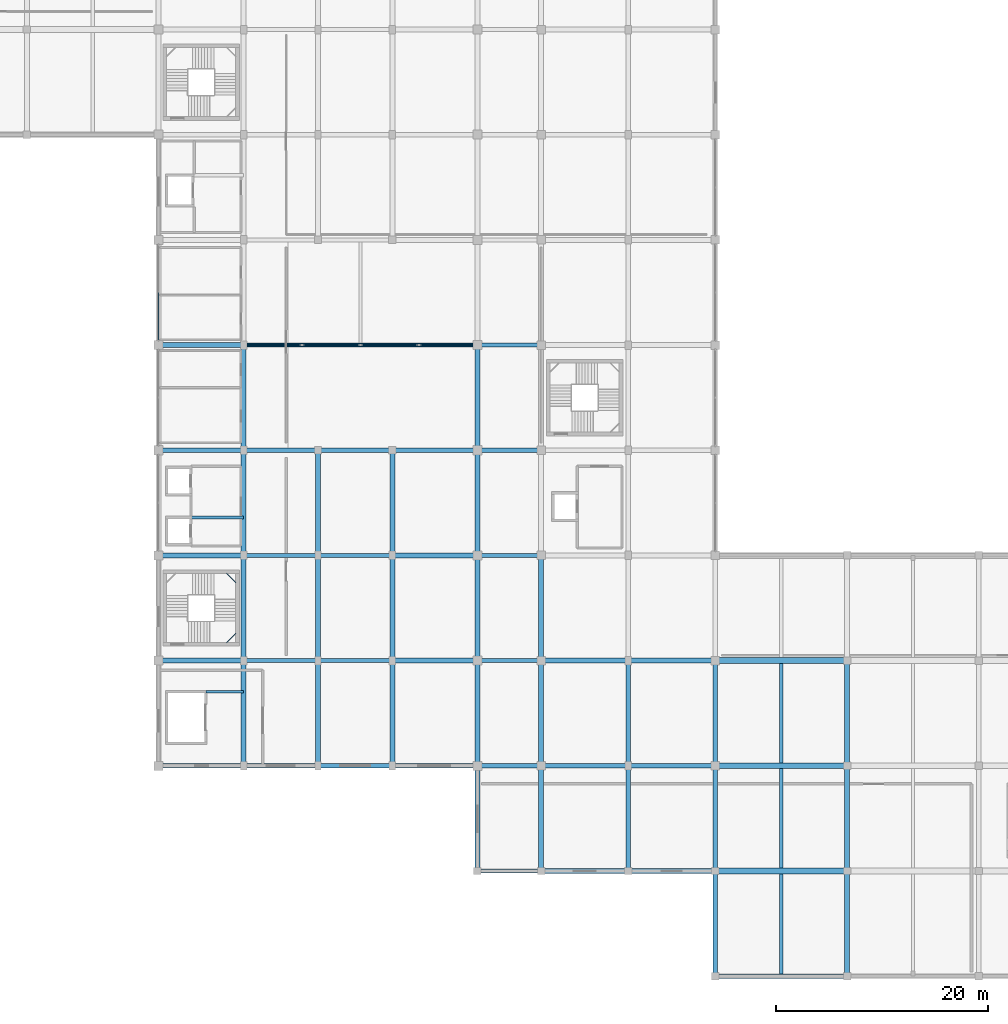
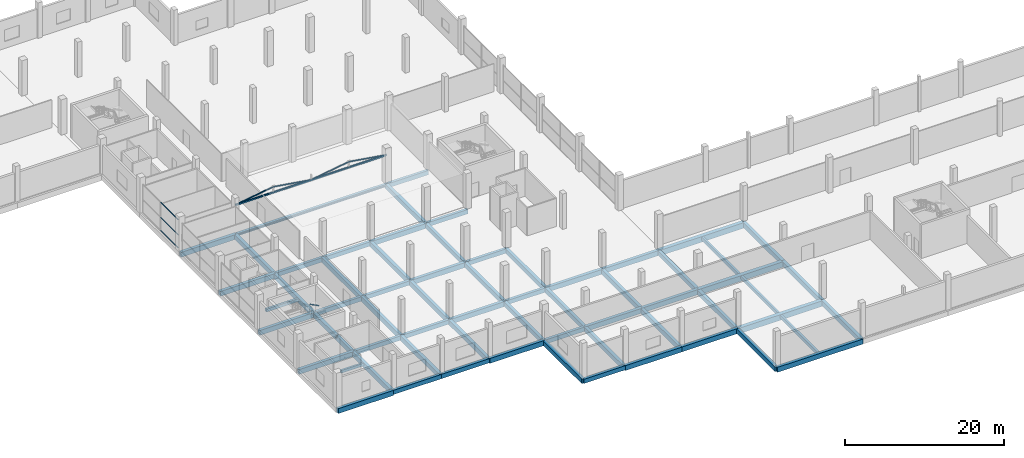
# One storey, part 6 of 72: 67 beams, 8 members, 1 element without a shape of its own.
"""IFC4 building model written with IfcOpenShell, lengths in metres."""

from ifc_helpers import new_model, si_unit, direction, frame, origin, origin_2d, place, context, subcontext, project, spatial, rectangle, hollow_rectangle, i_section, extrude, material, layer, layer_set, material_profile, profile_set, type_object, element, aggregate, save


model = new_model("IFC4")

# Units and contexts
model_context = context("Model", 3, precision=1e-05, world=origin(), true_north=direction((0.0, 1.0)))
body_context = subcontext(model_context, "Body", "Model", "MODEL_VIEW")
ifc_project = project(units=[si_unit("LENGTHUNIT", "METRE"), si_unit("AREAUNIT", "SQUARE_METRE"), si_unit("VOLUMEUNIT", "CUBIC_METRE"), si_unit("PLANEANGLEUNIT", "RADIAN"), si_unit("MASSUNIT", "GRAM", prefix="KILO")], contexts=[model_context])

# Site, building, storey
site_placement = place(None, origin())
site = spatial("IfcSite", under=ifc_project, at=site_placement, CompositionType="ELEMENT")
building_placement = place(site_placement, origin())
building = spatial("IfcBuilding", under=site, at=building_placement, Name="Sillaruma Civic Art Gallery", CompositionType="ELEMENT")
storey_placement = place(building_placement, frame((0.0, 0.0, 10.8798828125)))
storey = spatial("IfcBuildingStorey", under=building, at=storey_placement, Name="L02", CompositionType="ELEMENT", Elevation=10.8798828125)

# Beams
ifc_material_1 = material(Name="Concrete H35 (35 MPa)", Category="concrete")
ifc_material_profile_1 = material_profile(ifc_material_1, rectangle(XDim=0.39990234375, YDim=0.64990234375, at=origin_2d()), Name="RCB400x650")
ifc_profile_set_1 = profile_set([ifc_material_profile_1], Name="Concrete H35 (35 MPa)")
beam_type_1 = type_object("IfcBeamType", Name="BM-BEAM-RCB400x650", PredefinedType="BEAM", material=ifc_profile_set_1)
beam_1_placement = place(storey_placement, frame((92.0, 9.89990234375, -0.5849609375), z_axis=(1.0, 0.0, 0.0), x_axis=(0.0, 1.0, 0.0)))
element("IfcBeam", 1, at=beam_1_placement, inside=storey, type_object=beam_type_1, Name="Beam BM-05 (L01:2:K-L)", PredefinedType="BEAM", context=body_context, shape_type="SweptSolid", body=[
    extrude(rectangle(XDim=0.39990234375, YDim=0.64990234375, at=origin_2d()), origin(), (0.0, 0.0, 1.0), 6.0),
])
for number, where, z_axis, x_axis, name in (
    (2, (70.0, 19.800048828125, -0.5849609375), (1.0, 0.0, 0.0), (0.0, 1.0, 0.0), "Beam BM-05 (L01:3:G-H)"),
    (3, (77.0, 19.800048828125, -0.5849609375), (1.0, 0.0, 0.0), (0.0, 1.0, 0.0), "Beam BM-05 (L01:3:H-J)"),
):
    element("IfcBeam", number, at=place(storey_placement, frame(where, z_axis=z_axis, x_axis=x_axis)), inside=storey, type_object=beam_type_1, Name=name, PredefinedType="BEAM", context=body_context, shape_type="SweptSolid", body=[
        extrude(rectangle(XDim=0.39990234375, YDim=0.64990234375, at=origin_2d()), origin(), (0.0, 0.0, 1.0), 7.0),
    ])
beam_2_placement = place(storey_placement, frame((92.0, 19.800048828125, -0.5849609375), z_axis=(1.0, 0.0, 0.0), x_axis=(0.0, 1.0, 0.0)))
element("IfcBeam", 4, at=beam_2_placement, inside=storey, type_object=beam_type_1, Name="Beam BM-05 (L01:3:K-L)", PredefinedType="BEAM", context=body_context, shape_type="SweptSolid", body=[
    extrude(rectangle(XDim=0.39990234375, YDim=0.64990234375, at=origin_2d()), origin(), (0.0, 0.0, 1.0), 6.0),
])
for number, where, z_axis, x_axis, name in (
    (5, (70.0, 29.699951171875, -0.5849609375), (1.0, 0.0, 0.0), (0.0, 1.0, 0.0), "Beam BM-05 (L01:4:G-H)"),
    (6, (77.0, 29.699951171875, -0.5849609375), (1.0, 0.0, 0.0), (0.0, 1.0, 0.0), "Beam BM-05 (L01:4:H-J)"),
):
    element("IfcBeam", number, at=place(storey_placement, frame(where, z_axis=z_axis, x_axis=x_axis)), inside=storey, type_object=beam_type_1, Name=name, PredefinedType="BEAM", context=body_context, shape_type="SweptSolid", body=[
        extrude(rectangle(XDim=0.39990234375, YDim=0.64990234375, at=origin_2d()), origin(), (0.0, 0.0, 1.0), 7.0),
    ])
beam_3_placement = place(storey_placement, frame((92.0, 29.699951171875, -0.5849609375), z_axis=(1.0, 0.0, 0.0), x_axis=(0.0, 1.0, 0.0)))
element("IfcBeam", 7, at=beam_3_placement, inside=storey, type_object=beam_type_1, Name="Beam BM-05 (L01:4:K-L)", PredefinedType="BEAM", context=body_context, shape_type="SweptSolid", body=[
    extrude(rectangle(XDim=0.39990234375, YDim=0.64990234375, at=origin_2d()), origin(), (0.0, 0.0, 1.0), 6.0),
])
for number, where, z_axis, x_axis, name in (
    (8, (70.0, 39.60009765625, -0.5849609375), (1.0, 0.0, 0.0), (0.0, 1.0, 0.0), "Beam BM-05 (L01:5:G-H)"),
    (9, (77.0, 39.60009765625, -0.5849609375), (1.0, 0.0, 0.0), (0.0, 1.0, 0.0), "Beam BM-05 (L01:5:H-J)"),
):
    element("IfcBeam", number, at=place(storey_placement, frame(where, z_axis=z_axis, x_axis=x_axis)), inside=storey, type_object=beam_type_1, Name=name, PredefinedType="BEAM", context=body_context, shape_type="SweptSolid", body=[
        extrude(rectangle(XDim=0.39990234375, YDim=0.64990234375, at=origin_2d()), origin(), (0.0, 0.0, 1.0), 7.0),
    ])
beam_4_placement = place(storey_placement, frame((92.0, 39.60009765625, -0.5849609375), z_axis=(1.0, 0.0, 0.0), x_axis=(0.0, 1.0, 0.0)))
element("IfcBeam", 10, at=beam_4_placement, inside=storey, type_object=beam_type_1, Name="Beam BM-05 (L01:5:K-L)", PredefinedType="BEAM", context=body_context, shape_type="SweptSolid", body=[
    extrude(rectangle(XDim=0.39990234375, YDim=0.64990234375, at=origin_2d()), origin(), (0.0, 0.0, 1.0), 6.0),
])
for number, where, z_axis, x_axis, name in (
    (11, (70.0, 49.5, -0.5849609375), (1.0, 0.0, 0.0), (0.0, 1.0, 0.0), "Beam BM-05 (L01:6:G-H)"),
    (12, (77.0, 49.5, -0.5849609375), (1.0, 0.0, 0.0), (0.0, 1.0, 0.0), "Beam BM-05 (L01:6:H-J)"),
):
    element("IfcBeam", number, at=place(storey_placement, frame(where, z_axis=z_axis, x_axis=x_axis)), inside=storey, type_object=beam_type_1, Name=name, PredefinedType="BEAM", context=body_context, shape_type="SweptSolid", body=[
        extrude(rectangle(XDim=0.39990234375, YDim=0.64990234375, at=origin_2d()), origin(), (0.0, 0.0, 1.0), 7.0),
    ])
for number, where, z_axis, x_axis, name in (
    (13, (92.0, 49.5, -0.5849609375), (1.0, 0.0, 0.0), (0.0, 1.0, 0.0), "Beam BM-05 (L01:6:K-L)"),
    (14, (92.0, 59.39990234375, -0.5849609375), (1.0, 0.0, 0.0), (0.0, 1.0, 0.0), "Beam BM-05 (L01:7:K-L)"),
):
    element("IfcBeam", number, at=place(storey_placement, frame(where, z_axis=z_axis, x_axis=x_axis)), inside=storey, type_object=beam_type_1, Name=name, PredefinedType="BEAM", context=body_context, shape_type="SweptSolid", body=[
        extrude(rectangle(XDim=0.39990234375, YDim=0.64990234375, at=origin_2d()), origin(), (0.0, 0.0, 1.0), 6.0),
    ])
ifc_material_2 = material(Name="Concrete H40 (40 MPa)", Category="concrete")
ifc_material_profile_2 = material_profile(ifc_material_2, rectangle(XDim=0.449951171875, YDim=0.75, at=origin_2d()), Name="RCB450x750")
ifc_profile_set_2 = profile_set([ifc_material_profile_2], Name="Concrete H40 (40 MPa)")
beam_type_2 = type_object("IfcBeamType", Name="BM-BEAM-RCB450x750", PredefinedType="BEAM", material=ifc_profile_set_2)
for number, where, z_axis, x_axis, name in (
    (15, (98.0, 9.89990234375, -0.634765625), (1.0, 0.0, 0.0), (0.0, 1.0, 0.0), "Beam BM-03 (L01:2:L-M)"),
    (16, (106.199951171875, 9.89990234375, -0.634765625), (1.0, 0.0, 0.0), (0.0, 1.0, 0.0), "Beam BM-03 (L01:2:M-N)"),
):
    element("IfcBeam", number, at=place(storey_placement, frame(where, z_axis=z_axis, x_axis=x_axis)), inside=storey, type_object=beam_type_2, Name=name, PredefinedType="BEAM", context=body_context, shape_type="SweptSolid", body=[
        extrude(rectangle(XDim=0.449951171875, YDim=0.75, at=origin_2d()), origin(), (0.0, 0.0, 1.0), 8.199951171875),
    ])
for number, where, z_axis, x_axis, name in (
    (17, (62.0, 19.800048828125, -0.634765625), (1.0, 0.0, 0.0), (0.0, 1.0, 0.0), "Beam BM-03 (L01:3:F-G)"),
    (18, (84.0, 19.800048828125, -0.634765625), (1.0, 0.0, 0.0), (0.0, 1.0, 0.0), "Beam BM-03 (L01:3:J-K)"),
):
    element("IfcBeam", number, at=place(storey_placement, frame(where, z_axis=z_axis, x_axis=x_axis)), inside=storey, type_object=beam_type_2, Name=name, PredefinedType="BEAM", context=body_context, shape_type="SweptSolid", body=[
        extrude(rectangle(XDim=0.449951171875, YDim=0.75, at=origin_2d()), origin(), (0.0, 0.0, 1.0), 8.0),
    ])
for number, where, z_axis, x_axis, name in (
    (19, (98.0, 19.800048828125, -0.634765625), (1.0, 0.0, 0.0), (0.0, 1.0, 0.0), "Beam BM-03 (L01:3:L-M)"),
    (20, (106.199951171875, 19.800048828125, -0.634765625), (1.0, 0.0, 0.0), (0.0, 1.0, 0.0), "Beam BM-03 (L01:3:M-N)"),
):
    element("IfcBeam", number, at=place(storey_placement, frame(where, z_axis=z_axis, x_axis=x_axis)), inside=storey, type_object=beam_type_2, Name=name, PredefinedType="BEAM", context=body_context, shape_type="SweptSolid", body=[
        extrude(rectangle(XDim=0.449951171875, YDim=0.75, at=origin_2d()), origin(), (0.0, 0.0, 1.0), 8.199951171875),
    ])
for number, where, z_axis, x_axis, name in (
    (21, (62.0, 29.699951171875, -0.634765625), (1.0, 0.0, 0.0), (0.0, 1.0, 0.0), "Beam BM-03 (L01:4:F-G)"),
    (22, (84.0, 29.699951171875, -0.634765625), (1.0, 0.0, 0.0), (0.0, 1.0, 0.0), "Beam BM-03 (L01:4:J-K)"),
):
    element("IfcBeam", number, at=place(storey_placement, frame(where, z_axis=z_axis, x_axis=x_axis)), inside=storey, type_object=beam_type_2, Name=name, PredefinedType="BEAM", context=body_context, shape_type="SweptSolid", body=[
        extrude(rectangle(XDim=0.449951171875, YDim=0.75, at=origin_2d()), origin(), (0.0, 0.0, 1.0), 8.0),
    ])
for number, where, z_axis, x_axis, name in (
    (23, (98.0, 29.699951171875, -0.634765625), (1.0, 0.0, 0.0), (0.0, 1.0, 0.0), "Beam BM-03 (L01:4:L-M)"),
    (24, (106.199951171875, 29.699951171875, -0.634765625), (1.0, 0.0, 0.0), (0.0, 1.0, 0.0), "Beam BM-03 (L01:4:M-N)"),
):
    element("IfcBeam", number, at=place(storey_placement, frame(where, z_axis=z_axis, x_axis=x_axis)), inside=storey, type_object=beam_type_2, Name=name, PredefinedType="BEAM", context=body_context, shape_type="SweptSolid", body=[
        extrude(rectangle(XDim=0.449951171875, YDim=0.75, at=origin_2d()), origin(), (0.0, 0.0, 1.0), 8.199951171875),
    ])
for number, where, z_axis, x_axis, name in (
    (25, (62.0, 39.60009765625, -0.634765625), (1.0, 0.0, 0.0), (0.0, 1.0, 0.0), "Beam BM-03 (L01:5:F-G)"),
    (26, (84.0, 39.60009765625, -0.634765625), (1.0, 0.0, 0.0), (0.0, 1.0, 0.0), "Beam BM-03 (L01:5:J-K)"),
    (27, (62.0, 49.5, -0.634765625), (1.0, 0.0, 0.0), (0.0, 1.0, 0.0), "Beam BM-03 (L01:6:F-G)"),
    (28, (84.0, 49.5, -0.634765625), (1.0, 0.0, 0.0), (0.0, 1.0, 0.0), "Beam BM-03 (L01:6:J-K)"),
    (29, (62.0, 59.39990234375, -0.634765625), (1.0, 0.0, 0.0), (0.0, 1.0, 0.0), "Beam BM-03 (L01:7:F-G)"),
):
    element("IfcBeam", number, at=place(storey_placement, frame(where, z_axis=z_axis, x_axis=x_axis)), inside=storey, type_object=beam_type_2, Name=name, PredefinedType="BEAM", context=body_context, shape_type="SweptSolid", body=[
        extrude(rectangle(XDim=0.449951171875, YDim=0.75, at=origin_2d()), origin(), (0.0, 0.0, 1.0), 8.0),
    ])
beam_5_placement = place(storey_placement, frame((70.0, 19.800048828125, -0.634765625), z_axis=(0.0, 1.0, 0.0), x_axis=(-1.0, 0.0, 0.0)))
element("IfcBeam", 30, at=beam_5_placement, inside=storey, type_object=beam_type_2, Name="Beam BM-03 (L01:G:3-4)", PredefinedType="BEAM", context=body_context, shape_type="SweptSolid", body=[
    extrude(rectangle(XDim=0.449951171875, YDim=0.75, at=origin_2d()), origin(), (0.0, 0.0, 1.0), 9.89990234375),
])
beam_6_placement = place(storey_placement, frame((70.0, 29.699951171875, -0.634765625), z_axis=(0.0, 1.0, 0.0), x_axis=(-1.0, 0.0, 0.0)))
element("IfcBeam", 31, at=beam_6_placement, inside=storey, type_object=beam_type_2, Name="Beam BM-03 (L01:G:4-5)", PredefinedType="BEAM", context=body_context, shape_type="SweptSolid", body=[
    extrude(rectangle(XDim=0.449951171875, YDim=0.75, at=origin_2d()), origin(), (0.0, 0.0, 1.0), 9.900146484375),
])
for number, where, z_axis, x_axis, name in (
    (32, (70.0, 39.60009765625, -0.634765625), (0.0, 1.0, 0.0), (-1.0, 0.0, 0.0), "Beam BM-03 (L01:G:5-6)"),
    (33, (70.0, 49.5, -0.634765625), (0.0, 1.0, 0.0), (-1.0, 0.0, 0.0), "Beam BM-03 (L01:G:6-7)"),
    (34, (77.0, 19.800048828125, -0.634765625), (0.0, 1.0, 0.0), (-1.0, 0.0, 0.0), "Beam BM-03 (L01:H:3-4)"),
):
    element("IfcBeam", number, at=place(storey_placement, frame(where, z_axis=z_axis, x_axis=x_axis)), inside=storey, type_object=beam_type_2, Name=name, PredefinedType="BEAM", context=body_context, shape_type="SweptSolid", body=[
        extrude(rectangle(XDim=0.449951171875, YDim=0.75, at=origin_2d()), origin(), (0.0, 0.0, 1.0), 9.89990234375),
    ])
beam_7_placement = place(storey_placement, frame((77.0, 29.699951171875, -0.634765625), z_axis=(0.0, 1.0, 0.0), x_axis=(-1.0, 0.0, 0.0)))
element("IfcBeam", 35, at=beam_7_placement, inside=storey, type_object=beam_type_2, Name="Beam BM-03 (L01:H:4-5)", PredefinedType="BEAM", context=body_context, shape_type="SweptSolid", body=[
    extrude(rectangle(XDim=0.449951171875, YDim=0.75, at=origin_2d()), origin(), (0.0, 0.0, 1.0), 9.900146484375),
])
for number, where, z_axis, x_axis, name in (
    (36, (77.0, 39.60009765625, -0.634765625), (0.0, 1.0, 0.0), (-1.0, 0.0, 0.0), "Beam BM-03 (L01:H:5-6)"),
    (37, (84.0, 19.800048828125, -0.634765625), (0.0, 1.0, 0.0), (-1.0, 0.0, 0.0), "Beam BM-03 (L01:J:3-4)"),
):
    element("IfcBeam", number, at=place(storey_placement, frame(where, z_axis=z_axis, x_axis=x_axis)), inside=storey, type_object=beam_type_2, Name=name, PredefinedType="BEAM", context=body_context, shape_type="SweptSolid", body=[
        extrude(rectangle(XDim=0.449951171875, YDim=0.75, at=origin_2d()), origin(), (0.0, 0.0, 1.0), 9.89990234375),
    ])
beam_8_placement = place(storey_placement, frame((84.0, 29.699951171875, -0.634765625), z_axis=(0.0, 1.0, 0.0), x_axis=(-1.0, 0.0, 0.0)))
element("IfcBeam", 38, at=beam_8_placement, inside=storey, type_object=beam_type_2, Name="Beam BM-03 (L01:J:4-5)", PredefinedType="BEAM", context=body_context, shape_type="SweptSolid", body=[
    extrude(rectangle(XDim=0.449951171875, YDim=0.75, at=origin_2d()), origin(), (0.0, 0.0, 1.0), 9.900146484375),
])
beam_9_placement = place(storey_placement, frame((84.0, 39.60009765625, -0.634765625), z_axis=(0.0, 1.0, 0.0), x_axis=(-1.0, 0.0, 0.0)))
element("IfcBeam", 39, at=beam_9_placement, inside=storey, type_object=beam_type_2, Name="Beam BM-03 (L01:J:5-6)", PredefinedType="BEAM", context=body_context, shape_type="SweptSolid", body=[
    extrude(rectangle(XDim=0.449951171875, YDim=0.75, at=origin_2d()), origin(), (0.0, 0.0, 1.0), 9.89990234375),
])
beam_10_placement = place(storey_placement, frame((106.199951171875, 9.89990234375, -0.634765625), z_axis=(0.0, 1.0, 0.0), x_axis=(-1.0, 0.0, 0.0)))
element("IfcBeam", 40, at=beam_10_placement, inside=storey, type_object=beam_type_2, Name="Beam BM-03 (L01:M:2-3)", PredefinedType="BEAM", context=body_context, shape_type="SweptSolid", body=[
    extrude(rectangle(XDim=0.449951171875, YDim=0.75, at=origin_2d()), origin(), (0.0, 0.0, 1.0), 9.900146484375),
])
for number, where, z_axis, x_axis, name in (
    (41, (106.199951171875, 19.800048828125, -0.634765625), (0.0, 1.0, 0.0), (-1.0, 0.0, 0.0), "Beam BM-03 (L01:M:3-4)"),
    (42, (126.800048828125, 0.0, -0.634765625), (0.0, 1.0, 0.0), (-1.0, 0.0, 0.0), "Beam BM-03 (L01:P:1-2)"),
):
    element("IfcBeam", number, at=place(storey_placement, frame(where, z_axis=z_axis, x_axis=x_axis)), inside=storey, type_object=beam_type_2, Name=name, PredefinedType="BEAM", context=body_context, shape_type="SweptSolid", body=[
        extrude(rectangle(XDim=0.449951171875, YDim=0.75, at=origin_2d()), origin(), (0.0, 0.0, 1.0), 9.89990234375),
    ])
beam_11_placement = place(storey_placement, frame((126.800048828125, 9.89990234375, -0.634765625), z_axis=(0.0, 1.0, 0.0), x_axis=(-1.0, 0.0, 0.0)))
element("IfcBeam", 43, at=beam_11_placement, inside=storey, type_object=beam_type_2, Name="Beam BM-03 (L01:P:2-3)", PredefinedType="BEAM", context=body_context, shape_type="SweptSolid", body=[
    extrude(rectangle(XDim=0.449951171875, YDim=0.75, at=origin_2d()), origin(), (0.0, 0.0, 1.0), 9.900146484375),
])
beam_12_placement = place(storey_placement, frame((126.800048828125, 19.800048828125, -0.634765625), z_axis=(0.0, 1.0, 0.0), x_axis=(-1.0, 0.0, 0.0)))
element("IfcBeam", 44, at=beam_12_placement, inside=storey, type_object=beam_type_2, Name="Beam BM-03 (L01:P:3-4)", PredefinedType="BEAM", context=body_context, shape_type="SweptSolid", body=[
    extrude(rectangle(XDim=0.449951171875, YDim=0.75, at=origin_2d()), origin(), (0.0, 0.0, 1.0), 9.89990234375),
])
ifc_material_profile_3 = material_profile(ifc_material_2, rectangle(XDim=0.550048828125, YDim=0.85009765625, at=origin_2d()), Name="RCB550x850")
ifc_profile_set_3 = profile_set([ifc_material_profile_3], Name="Concrete H40 (40 MPa)")
beam_type_3 = type_object("IfcBeamType", Name="BM-BEAM-RCB550x850", PredefinedType="BEAM", material=ifc_profile_set_3)
for number, where, z_axis, x_axis, name in (
    (45, (114.39990234375, 9.89990234375, -0.684814453125), (1.0, 0.0, 0.0), (0.0, 1.0, 0.0), "Beam BM-01 (L01:2:N-P)"),
    (46, (114.39990234375, 19.800048828125, -0.684814453125), (1.0, 0.0, 0.0), (0.0, 1.0, 0.0), "Beam BM-01 (L01:3:N-P)"),
    (47, (114.39990234375, 29.699951171875, -0.684814453125), (1.0, 0.0, 0.0), (0.0, 1.0, 0.0), "Beam BM-01 (L01:4:N-P)"),
):
    element("IfcBeam", number, at=place(storey_placement, frame(where, z_axis=z_axis, x_axis=x_axis)), inside=storey, type_object=beam_type_3, Name=name, PredefinedType="BEAM", context=body_context, shape_type="SweptSolid", body=[
        extrude(rectangle(XDim=0.550048828125, YDim=0.85009765625, at=origin_2d()), origin(), (0.0, 0.0, 1.0), 12.400146484375),
    ])
ifc_material_profile_4 = material_profile(ifc_material_1, rectangle(XDim=0.300048828125, YDim=0.52001953125, at=origin_2d()), Name="RCB300x520")
ifc_profile_set_4 = profile_set([ifc_material_profile_4], Name="Concrete H35 (35 MPa)")
beam_type_4 = type_object("IfcBeamType", Name="BM-JOIST-RCB300x520", PredefinedType="JOIST", material=ifc_profile_set_4)
beam_13_placement = place(storey_placement, frame((120.60009765625, 0.22509765625, -0.519775390625), z_axis=(0.0, 1.0, 0.0), x_axis=(-1.0, 0.0, 0.0)))
element("IfcBeam", 48, at=beam_13_placement, inside=storey, type_object=beam_type_4, Name="Floor Joist JR-01 (L01:NP:1-2)", PredefinedType="JOIST", context=body_context, shape_type="SweptSolid", body=[
    extrude(rectangle(XDim=0.300048828125, YDim=0.52001953125, at=origin_2d()), origin(), (0.0, 0.0, 1.0), 9.39990234375),
])
beam_14_placement = place(storey_placement, frame((120.60009765625, 10.175048828125, -0.519775390625), z_axis=(0.0, 1.0, 0.0), x_axis=(-1.0, 0.0, 0.0)))
element("IfcBeam", 49, at=beam_14_placement, inside=storey, type_object=beam_type_4, Name="Floor Joist JR-01 (L01:NP:2-3)", PredefinedType="JOIST", context=body_context, shape_type="SweptSolid", body=[
    extrude(rectangle(XDim=0.300048828125, YDim=0.52001953125, at=origin_2d()), origin(), (0.0, 0.0, 1.0), 9.349853515625),
])
beam_15_placement = place(storey_placement, frame((120.60009765625, 20.074951171875, -0.519775390625), z_axis=(0.0, 1.0, 0.0), x_axis=(-1.0, 0.0, 0.0)))
element("IfcBeam", 50, at=beam_15_placement, inside=storey, type_object=beam_type_4, Name="Floor Joist JR-01 (L01:NP:3-4)", PredefinedType="JOIST", context=body_context, shape_type="SweptSolid", body=[
    extrude(rectangle(XDim=0.300048828125, YDim=0.52001953125, at=origin_2d()), origin(), (0.0, 0.0, 1.0), 9.35009765625),
])
ifc_material_profile_5 = material_profile(ifc_material_1, rectangle(XDim=0.260009765625, YDim=0.419921875, at=origin_2d()), Name="RCB260x420")
ifc_profile_set_5 = profile_set([ifc_material_profile_5], Name="Concrete H35 (35 MPa)")
beam_type_5 = type_object("IfcBeamType", Name="BM-LINTEL-RCB260x420", PredefinedType="LINTEL", material=ifc_profile_set_5)
beam_16_placement = place(storey_placement, frame((66.449951171875, 26.780029296875, -0.469970703125), z_axis=(1.0, 0.0, 0.0), x_axis=(0.0, 1.0, 0.0)))
element("IfcBeam", 51, at=beam_16_placement, inside=storey, type_object=beam_type_5, Name="Core Portal Coupling Lintel BL-02 (L01:GL1)", PredefinedType="LINTEL", context=body_context, shape_type="SweptSolid", body=[
    extrude(rectangle(XDim=0.260009765625, YDim=0.419921875, at=origin_2d()), origin(), (0.0, 0.0, 1.0), 3.550048828125),
])
ifc_material_profile_6 = material_profile(ifc_material_1, rectangle(XDim=0.300048828125, YDim=0.4599609375, at=origin_2d()), Name="RCB300x460")
ifc_profile_set_6 = profile_set([ifc_material_profile_6], Name="Concrete H35 (35 MPa)")
beam_type_6 = type_object("IfcBeamType", Name="BM-LINTEL-RCB300x460", PredefinedType="LINTEL", material=ifc_profile_set_6)
beam_17_placement = place(storey_placement, frame((65.050048828125, 43.179931640625, -0.489990234375), z_axis=(1.0, 0.0, 0.0), x_axis=(0.0, 1.0, 0.0)))
element("IfcBeam", 52, at=beam_17_placement, inside=storey, type_object=beam_type_6, Name="Core Portal Coupling Lintel BL-01 (L01:PL1)", PredefinedType="LINTEL", context=body_context, shape_type="SweptSolid", body=[
    extrude(rectangle(XDim=0.300048828125, YDim=0.4599609375, at=origin_2d()), origin(), (0.0, 0.0, 1.0), 4.949951171875),
])
ifc_material_3 = material(Name="Structural Steel ASTM A500 Gr.C", Category="steel")
ifc_material_profile_7 = material_profile(ifc_material_3, hollow_rectangle(XDim=0.080078125, YDim=0.159912109375, WallThickness=0.008056640625, InnerFilletRadius=0.008056640625, OuterFilletRadius=0.01611328125, at=origin_2d()), Name="HSS160x80x8")
ifc_profile_set_7 = profile_set([ifc_material_profile_7], Name="Structural Steel ASTM A500 Gr.C")
beam_type_7 = type_object("IfcBeamType", Name="BM-LND-HSS160", PredefinedType="BEAM", material=ifc_profile_set_7)
for number, where, z_axis, x_axis, name in (
    (53, (68.389892578125, 31.3701171875, 1.080078125), (0.707203758046, 0.707009791025, 0.0), (-0.707009791025, 0.707203758046, 0.0), "Stair Corner Landing Trimmer Beam (ST-03-L02-1)"),
    (54, (68.389892578125, 37.929931640625, 2.440185546875), (0.707203758046, -0.707009791025, 0.0), (0.707009791025, 0.707203758046, 0.0), "Stair Corner Landing Trimmer Beam (ST-03-L02-2)"),
):
    element("IfcBeam", number, at=place(storey_placement, frame(where, z_axis=z_axis, x_axis=x_axis)), inside=storey, type_object=beam_type_7, Name=name, PredefinedType="BEAM", context=body_context, shape_type="SweptSolid", body=[
        extrude(hollow_rectangle(XDim=0.080078125, YDim=0.159912109375, WallThickness=0.008056640625, InnerFilletRadius=0.008056640625, OuterFilletRadius=0.01611328125, at=origin_2d()), origin(), (0.0, 0.0, 1.0), 1.2587890625),
    ])
ifc_material_profile_8 = material_profile(ifc_material_1, rectangle(XDim=0.449951171875, YDim=0.699951171875, at=origin_2d()), Name="RCB450x700")
ifc_profile_set_8 = profile_set([ifc_material_profile_8], Name="Concrete H35 (35 MPa)")
beam_type_8 = type_object("IfcBeamType", Name="BM-SPANDREL-RCB450x700", PredefinedType="SPANDREL", material=ifc_profile_set_8)
beam_18_placement = place(storey_placement, frame((92.0, 9.89990234375, -0.60986328125), z_axis=(0.0, 1.0, 0.0), x_axis=(-1.0, 0.0, 0.0)))
element("IfcBeam", 55, at=beam_18_placement, inside=storey, type_object=beam_type_8, Name="Beam BS-03 (L01:K:2-3)", PredefinedType="SPANDREL", context=body_context, shape_type="SweptSolid", body=[
    extrude(rectangle(XDim=0.449951171875, YDim=0.699951171875, at=origin_2d()), origin(), (0.0, 0.0, 1.0), 9.900146484375),
])
beam_19_placement = place(storey_placement, frame((92.0, 19.800048828125, -0.60986328125), z_axis=(0.0, 1.0, 0.0), x_axis=(-1.0, 0.0, 0.0)))
element("IfcBeam", 56, at=beam_19_placement, inside=storey, type_object=beam_type_8, Name="Beam BS-03 (L01:K:3-4)", PredefinedType="SPANDREL", context=body_context, shape_type="SweptSolid", body=[
    extrude(rectangle(XDim=0.449951171875, YDim=0.699951171875, at=origin_2d()), origin(), (0.0, 0.0, 1.0), 9.89990234375),
])
beam_20_placement = place(storey_placement, frame((92.0, 29.699951171875, -0.60986328125), z_axis=(0.0, 1.0, 0.0), x_axis=(-1.0, 0.0, 0.0)))
element("IfcBeam", 57, at=beam_20_placement, inside=storey, type_object=beam_type_8, Name="Beam BS-03 (L01:K:4-5)", PredefinedType="SPANDREL", context=body_context, shape_type="SweptSolid", body=[
    extrude(rectangle(XDim=0.449951171875, YDim=0.699951171875, at=origin_2d()), origin(), (0.0, 0.0, 1.0), 9.900146484375),
])
for number, where, z_axis, x_axis, name in (
    (58, (92.0, 39.60009765625, -0.60986328125), (0.0, 1.0, 0.0), (-1.0, 0.0, 0.0), "Beam BS-03 (L01:K:5-6)"),
    (59, (92.0, 49.5, -0.60986328125), (0.0, 1.0, 0.0), (-1.0, 0.0, 0.0), "Beam BS-03 (L01:K:6-7)"),
):
    element("IfcBeam", number, at=place(storey_placement, frame(where, z_axis=z_axis, x_axis=x_axis)), inside=storey, type_object=beam_type_8, Name=name, PredefinedType="SPANDREL", context=body_context, shape_type="SweptSolid", body=[
        extrude(rectangle(XDim=0.449951171875, YDim=0.699951171875, at=origin_2d()), origin(), (0.0, 0.0, 1.0), 9.89990234375),
    ])
beam_21_placement = place(storey_placement, frame((98.0, 9.89990234375, -0.60986328125), z_axis=(0.0, 1.0, 0.0), x_axis=(-1.0, 0.0, 0.0)))
element("IfcBeam", 60, at=beam_21_placement, inside=storey, type_object=beam_type_8, Name="Beam BS-03 (L01:L:2-3)", PredefinedType="SPANDREL", context=body_context, shape_type="SweptSolid", body=[
    extrude(rectangle(XDim=0.449951171875, YDim=0.699951171875, at=origin_2d()), origin(), (0.0, 0.0, 1.0), 9.900146484375),
])
beam_22_placement = place(storey_placement, frame((98.0, 19.800048828125, -0.60986328125), z_axis=(0.0, 1.0, 0.0), x_axis=(-1.0, 0.0, 0.0)))
element("IfcBeam", 61, at=beam_22_placement, inside=storey, type_object=beam_type_8, Name="Beam BS-03 (L01:L:3-4)", PredefinedType="SPANDREL", context=body_context, shape_type="SweptSolid", body=[
    extrude(rectangle(XDim=0.449951171875, YDim=0.699951171875, at=origin_2d()), origin(), (0.0, 0.0, 1.0), 9.89990234375),
])
beam_23_placement = place(storey_placement, frame((98.0, 29.699951171875, -0.60986328125), z_axis=(0.0, 1.0, 0.0), x_axis=(-1.0, 0.0, 0.0)))
element("IfcBeam", 62, at=beam_23_placement, inside=storey, type_object=beam_type_8, Name="Beam BS-03 (L01:L:4-5)", PredefinedType="SPANDREL", context=body_context, shape_type="SweptSolid", body=[
    extrude(rectangle(XDim=0.449951171875, YDim=0.699951171875, at=origin_2d()), origin(), (0.0, 0.0, 1.0), 9.900146484375),
])
beam_24_placement = place(storey_placement, frame((114.39990234375, 0.0, -0.60986328125), z_axis=(0.0, 1.0, 0.0), x_axis=(-1.0, 0.0, 0.0)))
element("IfcBeam", 63, at=beam_24_placement, inside=storey, type_object=beam_type_8, Name="Beam BS-03 (L01:N:1-2)", PredefinedType="SPANDREL", context=body_context, shape_type="SweptSolid", body=[
    extrude(rectangle(XDim=0.449951171875, YDim=0.699951171875, at=origin_2d()), origin(), (0.0, 0.0, 1.0), 9.89990234375),
])
beam_25_placement = place(storey_placement, frame((114.39990234375, 9.89990234375, -0.60986328125), z_axis=(0.0, 1.0, 0.0), x_axis=(-1.0, 0.0, 0.0)))
element("IfcBeam", 64, at=beam_25_placement, inside=storey, type_object=beam_type_8, Name="Beam BS-03 (L01:N:2-3)", PredefinedType="SPANDREL", context=body_context, shape_type="SweptSolid", body=[
    extrude(rectangle(XDim=0.449951171875, YDim=0.699951171875, at=origin_2d()), origin(), (0.0, 0.0, 1.0), 9.900146484375),
])
beam_26_placement = place(storey_placement, frame((114.39990234375, 19.800048828125, -0.60986328125), z_axis=(0.0, 1.0, 0.0), x_axis=(-1.0, 0.0, 0.0)))
element("IfcBeam", 65, at=beam_26_placement, inside=storey, type_object=beam_type_8, Name="Beam BS-03 (L01:N:3-4)", PredefinedType="SPANDREL", context=body_context, shape_type="SweptSolid", body=[
    extrude(rectangle(XDim=0.449951171875, YDim=0.699951171875, at=origin_2d()), origin(), (0.0, 0.0, 1.0), 9.89990234375),
])
ifc_material_profile_9 = material_profile(ifc_material_2, rectangle(XDim=0.449951171875, YDim=0.75, at=origin_2d()), Name="RCB450x750")
ifc_profile_set_9 = profile_set([ifc_material_profile_9], Name="Concrete H40 (40 MPa)")
beam_type_9 = type_object("IfcBeamType", Name="BM-SPANDREL-RCB450x750", PredefinedType="SPANDREL", material=ifc_profile_set_9)
beam_27_placement = place(storey_placement, frame((114.39990234375, 0.0, -0.634765625), z_axis=(1.0, 0.0, 0.0), x_axis=(0.0, 1.0, 0.0)))
element("IfcBeam", 66, at=beam_27_placement, inside=storey, type_object=beam_type_9, Name="Beam BS-01 (L01:1:N-P)", PredefinedType="SPANDREL", context=body_context, shape_type="SweptSolid", body=[
    extrude(rectangle(XDim=0.449951171875, YDim=0.75, at=origin_2d()), origin(), (0.0, 0.0, 1.0), 12.400146484375),
])
ifc_material_4 = material(Name="Structural Steel ASTM A992 Gr.50", Category="steel")
ifc_material_profile_10 = material_profile(ifc_material_4, i_section(OverallWidth=0.3740234375, OverallDepth=0.3720703125, WebThickness=0.016357421875, FlangeThickness=0.026123046875, FilletRadius=0.014892578125, at=origin_2d()), Name="W360x196")
ifc_profile_set_10 = profile_set([ifc_material_profile_10], Name="Structural Steel ASTM A992 Gr.50")
beam_type_10 = type_object("IfcBeamType", Name="BM-TRTOP-W360x196", PredefinedType="BEAM", material=ifc_profile_set_10)
beam_28_placement = place(storey_placement, frame((70.0, 59.39990234375, -0.44580078125), z_axis=(1.0, 0.0, 0.0), x_axis=(0.0, 1.0, 0.0)))
element("IfcBeam", 67, at=beam_28_placement, inside=storey, type_object=beam_type_10, Name="Warren Truss Top Chord TR-L01-1", PredefinedType="BEAM", context=body_context, shape_type="SweptSolid", body=[
    extrude(i_section(OverallWidth=0.3740234375, OverallDepth=0.3720703125, WebThickness=0.016357421875, FlangeThickness=0.026123046875, FilletRadius=0.014892578125, at=origin_2d()), origin(), (0.0, 0.0, 1.0), 22.0),
])

# Members
ifc_material_profile_11 = material_profile(ifc_material_3, hollow_rectangle(XDim=0.14990234375, YDim=0.14990234375, WallThickness=0.010009765625, InnerFilletRadius=0.010009765625, OuterFilletRadius=0.02001953125, at=origin_2d()), Name="HSS150x150x10")
ifc_profile_set_11 = profile_set([ifc_material_profile_11], Name="Structural Steel ASTM A500 Gr.C")
member_type_1 = type_object("IfcMemberType", Name="MEM-BRACE-HSS150x150x10", PredefinedType="BRACE", material=ifc_profile_set_11)
for number, where, z_axis, x_axis, name in (
    (68, (70.0, 59.39990234375, 4.1201171875), (0.988052138102, 0.0, 0.154119993488), (0.0, 1.0, 0.0), "Warren Truss Diagonal TR-L02-1-D1"),
    (69, (75.5, 59.39990234375, 4.97802734375), (0.988052138102, 0.0, -0.154119993488), (0.0, 1.0, 0.0), "Warren Truss Diagonal TR-L02-1-D2"),
    (70, (81.0, 59.39990234375, 4.1201171875), (0.988052138102, 0.0, 0.154119993488), (0.0, 1.0, 0.0), "Warren Truss Diagonal TR-L02-1-D3"),
    (71, (86.5, 59.39990234375, 4.97802734375), (0.988052138102, 0.0, -0.154119993488), (0.0, 1.0, 0.0), "Warren Truss Diagonal TR-L02-1-D4"),
):
    element("IfcMember", number, at=place(storey_placement, frame(where, z_axis=z_axis, x_axis=x_axis)), inside=storey, type_object=member_type_1, Name=name, PredefinedType="BRACE", context=body_context, shape_type="SweptSolid", body=[
        extrude(hollow_rectangle(XDim=0.14990234375, YDim=0.14990234375, WallThickness=0.010009765625, InnerFilletRadius=0.010009765625, OuterFilletRadius=0.02001953125, at=origin_2d()), origin(), (0.0, 0.0, 1.0), 5.56640625),
    ])
ifc_material_profile_12 = material_profile(ifc_material_3, hollow_rectangle(XDim=0.219970703125, YDim=0.219970703125, WallThickness=0.012451171875, InnerFilletRadius=0.012451171875, OuterFilletRadius=0.02490234375, at=origin_2d()), Name="HSS220x220x12.5")
ifc_profile_set_12 = profile_set([ifc_material_profile_12], Name="Structural Steel ASTM A500 Gr.C")
member_type_2 = type_object("IfcMemberType", Name="MEM-CHORD-HSS220x220x12.5", PredefinedType="CHORD", material=ifc_profile_set_12)
member_1_placement = place(storey_placement, frame((70.0, 59.39990234375, 4.1201171875), z_axis=(1.0, 0.0, 0.0), x_axis=(0.0, 1.0, 0.0)))
element("IfcMember", 72, at=member_1_placement, inside=storey, type_object=member_type_2, Name="Warren Truss Bottom Chord TR-L02-1", PredefinedType="CHORD", context=body_context, shape_type="SweptSolid", body=[
    extrude(hollow_rectangle(XDim=0.219970703125, YDim=0.219970703125, WallThickness=0.012451171875, InnerFilletRadius=0.012451171875, OuterFilletRadius=0.02490234375, at=origin_2d()), origin(), (0.0, 0.0, 1.0), 22.0),
])

# Curtain wall, members
ifc_material_5 = material(Name="Thermally Broken Extruded Aluminium 6063-T6", Category="aluminium")
ifc_layer = layer(ifc_material_5, 0.179931640625, Name="Thermally Broken Extruded Aluminium 6063-T6")
ifc_layer_set = layer_set([ifc_layer], Name="Thermally Broken Extruded Aluminium 6063-T6")
curtain_wall_type = type_object("IfcCurtainWallType", Name="CW-UNI-06", PredefinedType="NOTDEFINED", material=ifc_layer_set)
curtain_wall_placement = place(storey_placement, origin())
curtain_wall = element("IfcCurtainWall", 73, at=curtain_wall_placement, inside=storey, type_object=curtain_wall_type, Name="Unitised Curtain Wall CW-06 (CW-L02-SPW-5)", PredefinedType="NOTDEFINED")
ifc_material_profile_13 = material_profile(ifc_material_5, hollow_rectangle(XDim=0.070068359375, YDim=0.139892578125, WallThickness=0.00390625, at=origin_2d()), Name="CWT70x140")
ifc_profile_set_13 = profile_set([ifc_material_profile_13], Name="Thermally Broken Extruded Aluminium 6063-T6")
member_type_3 = type_object("IfcMemberType", Name="MEM-TRN-CWT70x140", PredefinedType="USERDEFINED", material=ifc_profile_set_13)
member_2_placement = place(storey_placement, frame((62.0, 59.89501953125, 0.03515625), z_axis=(0.0, 1.0, 0.0), x_axis=(-1.0, 0.0, 0.0)))
member_2 = element("IfcMember", 74, at=member_2_placement, type_object=member_type_3, Name="CW-06 transom 1.1", ObjectType="TRANSOM", PredefinedType="USERDEFINED", context=body_context, shape_type="SweptSolid", body=[
    extrude(hollow_rectangle(XDim=0.070068359375, YDim=0.139892578125, WallThickness=0.00390625, at=origin_2d()), origin(), (0.0, 0.0, 1.0), 4.419921875),
])
member_3_placement = place(storey_placement, frame((62.0, 59.89501953125, 2.014892578125), z_axis=(0.0, 1.0, 0.0), x_axis=(-1.0, 0.0, 0.0)))
member_3 = element("IfcMember", 75, at=member_3_placement, type_object=member_type_3, Name="CW-06 transom 1.2", ObjectType="TRANSOM", PredefinedType="USERDEFINED", context=body_context, shape_type="SweptSolid", body=[
    extrude(hollow_rectangle(XDim=0.070068359375, YDim=0.139892578125, WallThickness=0.00390625, at=origin_2d()), origin(), (0.0, 0.0, 1.0), 4.419921875),
])
member_4_placement = place(storey_placement, frame((62.0, 59.89501953125, 4.34521484375), z_axis=(0.0, 1.0, 0.0), x_axis=(-1.0, 0.0, 0.0)))
member_4 = element("IfcMember", 76, at=member_4_placement, type_object=member_type_3, Name="CW-06 transom 1.3", ObjectType="TRANSOM", PredefinedType="USERDEFINED", context=body_context, shape_type="SweptSolid", body=[
    extrude(hollow_rectangle(XDim=0.070068359375, YDim=0.139892578125, WallThickness=0.00390625, at=origin_2d()), origin(), (0.0, 0.0, 1.0), 4.419921875),
])
aggregate(curtain_wall, [member_2, member_3, member_4])

save(model, "model.ifc")
